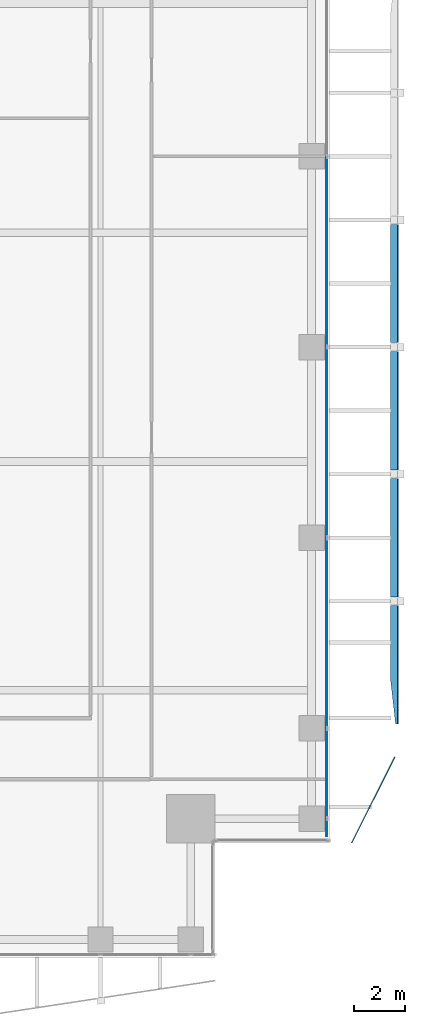
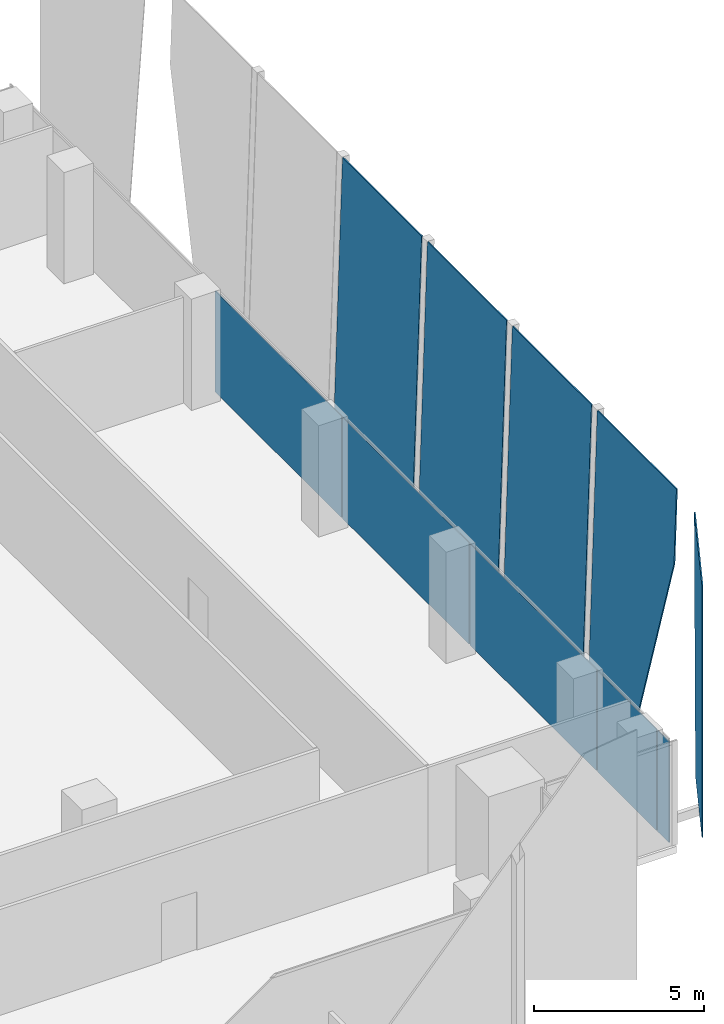
# One storey, part 25 of 35: 10 plates, 1 element without a shape of its own.
"""IFC4 building model written with IfcOpenShell, lengths in metres."""

from ifc_helpers import new_model, si_unit, direction, frame, origin, origin_2d, place, context, subcontext, project, spatial, polyline, rectangle, outline, extrude, source, transform, mapped, material, layer, layer_set, type_object, element, aggregate, save


model = new_model("IFC4")

# Units and contexts
model_context = context("Model", 3, precision=1e-05, world=origin(), true_north=direction((0.0, 1.0)))
body_context = subcontext(model_context, "Body", "Model", "MODEL_VIEW")
ifc_project = project(units=[si_unit("LENGTHUNIT", "METRE"), si_unit("AREAUNIT", "SQUARE_METRE"), si_unit("VOLUMEUNIT", "CUBIC_METRE"), si_unit("PLANEANGLEUNIT", "RADIAN"), si_unit("MASSUNIT", "GRAM", prefix="KILO")], contexts=[model_context])

# Site, building, storey
site_placement = place(None, origin())
site = spatial("IfcSite", under=ifc_project, at=site_placement, CompositionType="ELEMENT")
building_placement = place(site_placement, origin())
building = spatial("IfcBuilding", under=site, at=building_placement, Name="Khomas Fold Tower", CompositionType="ELEMENT")
storey_placement = place(building_placement, frame((0.0, 0.0, 212.699951171875)))
storey = spatial("IfcBuildingStorey", under=building, at=storey_placement, Name="L47", CompositionType="ELEMENT", Elevation=212.699951171875)

# Plates
ifc_material_1 = material(Name="Clear laminated glass", Category="glass")
ifc_layer_1 = layer(ifc_material_1, 0.0400390625)
ifc_layer_set_1 = layer_set([ifc_layer_1], Name="Clear laminated glass")
plate_type_1 = type_object("IfcPlateType", Name="SK-Clear laminated glass leaf", PredefinedType="SHEET", material=ifc_layer_set_1)
plate_1_placement = place(storey_placement, frame((53.302490234375, 10.304931640625, 0.0), z_axis=(0.894413048516, -0.447241879348, 1.106367e-06), x_axis=(-0.447241879348, -0.894413048517, 4e-12)))
element("IfcPlate", 1, at=plate_1_placement, inside=storey, type_object=plate_type_1, Name="OUTER SKIN glass L47 EG099-1", PredefinedType="SHEET", context=body_context, shape_type="SweptSolid", body=[
    extrude(outline(polyline([(0.0, 0.0), (3.1360635037267484, 2.117582368135751e-22), (3.136063503758716, -9.050048828119461), (-0.633261438591776, -9.050048828143854), (0.0, 0.0)])), origin(), (0.0, 0.0, -1.0), 0.0400390625),
])
plate_2_placement = place(storey_placement, frame((53.402587890625, 13.950439453125, 0.0), z_axis=(-0.999510860963, -2.0749385e-05, 0.031273605262), x_axis=(0.030135933985, -0.267908598882, 0.962972901035)))
element("IfcPlate", 2, at=plate_2_placement, inside=storey, type_object=plate_type_1, Name="OUTER SKIN glass L47 EG100-2", PredefinedType="SHEET", context=body_context, shape_type="SweptSolid", body=[
    extrude(outline(polyline([(0.0, 0.0), (6.645988926069808, 0.0), (9.200502334848046, 0.7103431803883276), (7.952006403337592, 5.20014430895359), (-0.7714799618695423, 2.774371558645603), (0.0, 0.0)])), origin(), (0.0, 0.0, -1.0), 0.0400390625),
])
for number, where, z_axis, x_axis, name in (
    (3, (53.402587890625, 17.169921875, 0.0), (-0.999510733566, 0.0, 0.031277683534), (0.031277683534, 0.0, 0.999510733566), "OUTER SKIN glass L47 EG101-4"),
    (4, (53.402587890625, 22.169921875, 0.0), (-0.999510733566, 0.0, 0.031277683534), (0.031277683534, 0.0, 0.999510733566), "OUTER SKIN glass L47 EG102-6"),
    (5, (53.402587890625, 27.169921875, 0.0), (-0.999510733566, 0.0, 0.031277683534), (0.031277683534, 0.0, 0.999510733566), "OUTER SKIN glass L47 EG103-8"),
):
    element("IfcPlate", number, at=place(storey_placement, frame(where, z_axis=z_axis, x_axis=x_axis)), inside=storey, type_object=plate_type_1, Name=name, PredefinedType="SHEET", context=body_context, shape_type="SweptSolid", body=[
        extrude(outline(polyline([(0.0, 0.0), (9.05447888072287, 0.0), (9.05447888072287, 4.66015625), (0.0, 4.66015625), (0.0, 0.0)])), origin(), (0.0, 0.0, -1.0), 0.0400390625),
    ])

# Curtain wall, plates
ifc_material_2 = material(Name="Aluminium framed double glazing", Category="aluminium")
curtain_wall_type = type_object("IfcCurtainWallType", Name="SK-Unitised clear-glass wall, office floors CW2", PredefinedType="NOTDEFINED", material=ifc_material_2)
curtain_wall_placement = place(storey_placement, origin())
curtain_wall = element("IfcCurtainWall", 6, at=curtain_wall_placement, inside=storey, type_object=curtain_wall_type, Name="CW2 run L47 03-0", PredefinedType="NOTDEFINED")
ifc_material_3 = material(Name="Clear double glazed unit")
ifc_layer_2 = layer(ifc_material_3, 0.030029296875)
ifc_layer_set_2 = layer_set([ifc_layer_2], Name="Clear double glazed unit")
plate_type_2 = type_object("IfcPlateType", Name="SK-Unitised clear-glass wall, office floors glass panel CW2-P", PredefinedType="CURTAIN_PANEL", material=ifc_layer_set_2)
shared_shape_1 = source(origin(), body_context, "Body", "SweptSolid", [
    extrude(rectangle(XDim=0.659912109375, YDim=0.030029296875, at=origin_2d()), origin(), (0.0, 0.0, 1.0), 3.639892578125),
])
plate_3_placement = place(storey_placement, frame((50.89990234375, 8.090087890625, 0.0), z_axis=(0.0, 0.0, 1.0), x_axis=(0.0, 1.0, 0.0)))
plate_3 = element("IfcPlate", 7, at=plate_3_placement, type_object=plate_type_2, Name="CW2 glass panel 1", PredefinedType="CURTAIN_PANEL", context=body_context, shape_type="MappedRepresentation", body=[
    mapped(shared_shape_1, transform((0.0, 0.0, 0.0))),
])
shared_shape_2 = source(origin(), body_context, "Body", "SweptSolid", [
    extrude(rectangle(XDim=3.489990234375, YDim=0.030029296875, at=origin_2d()), origin(), (0.0, 0.0, 1.0), 3.639892578125),
])
plate_4_placement = place(storey_placement, frame((50.89990234375, 10.22509765625, 0.0), z_axis=(0.0, 0.0, 1.0), x_axis=(0.0, 1.0, 0.0)))
plate_4 = element("IfcPlate", 8, at=plate_4_placement, type_object=plate_type_2, Name="CW2 glass panel 2", PredefinedType="CURTAIN_PANEL", context=body_context, shape_type="MappedRepresentation", body=[
    mapped(shared_shape_2, transform((0.0, 0.0, 0.0))),
])
shared_shape_3 = source(origin(), body_context, "Body", "SweptSolid", [
    extrude(rectangle(XDim=7.43994140625, YDim=0.030029296875, at=origin_2d()), origin(), (0.0, 0.0, 1.0), 3.639892578125),
])
plate_5_placement = place(storey_placement, frame((50.89990234375, 15.75, 0.0), z_axis=(0.0, 0.0, 1.0), x_axis=(0.0, 1.0, 0.0)))
plate_5 = element("IfcPlate", 9, at=plate_5_placement, type_object=plate_type_2, Name="CW2 glass panel 3", PredefinedType="CURTAIN_PANEL", context=body_context, shape_type="MappedRepresentation", body=[
    mapped(shared_shape_3, transform((0.0, 0.0, 0.0))),
])
plate_6_placement = place(storey_placement, frame((50.89990234375, 23.25, 0.0), z_axis=(0.0, 0.0, 1.0), x_axis=(0.0, 1.0, 0.0)))
plate_6 = element("IfcPlate", 10, at=plate_6_placement, type_object=plate_type_2, Name="CW2 glass panel 4", PredefinedType="CURTAIN_PANEL", context=body_context, shape_type="MappedRepresentation", body=[
    mapped(shared_shape_3, transform((0.0, 0.0, 0.0))),
])
plate_7_placement = place(storey_placement, frame((50.89990234375, 30.75, 0.0), z_axis=(0.0, 0.0, 1.0), x_axis=(0.0, 1.0, 0.0)))
plate_7 = element("IfcPlate", 11, at=plate_7_placement, type_object=plate_type_2, Name="CW2 glass panel 5", PredefinedType="CURTAIN_PANEL", context=body_context, shape_type="MappedRepresentation", body=[
    mapped(shared_shape_3, transform((0.0, 0.0, 0.0))),
])
aggregate(curtain_wall, [plate_3, plate_4, plate_5, plate_6, plate_7])

save(model, "model.ifc")
